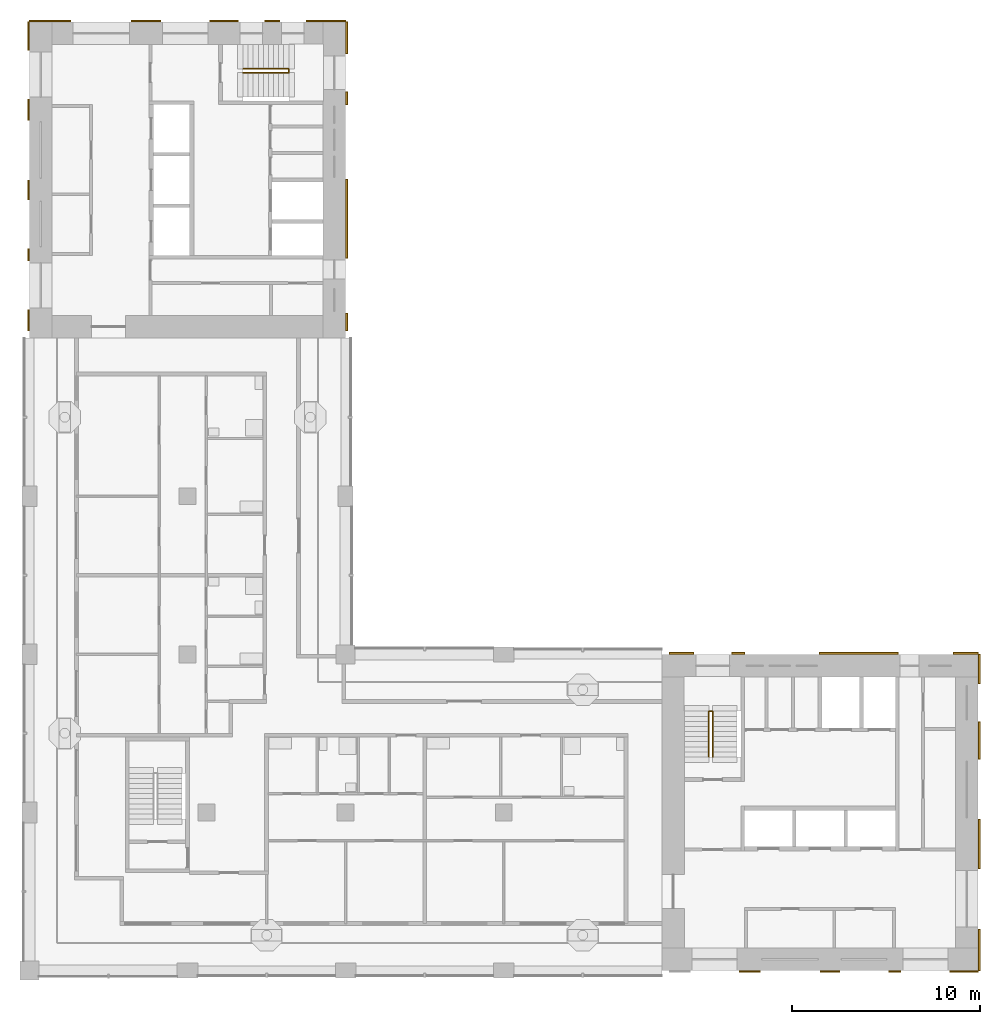
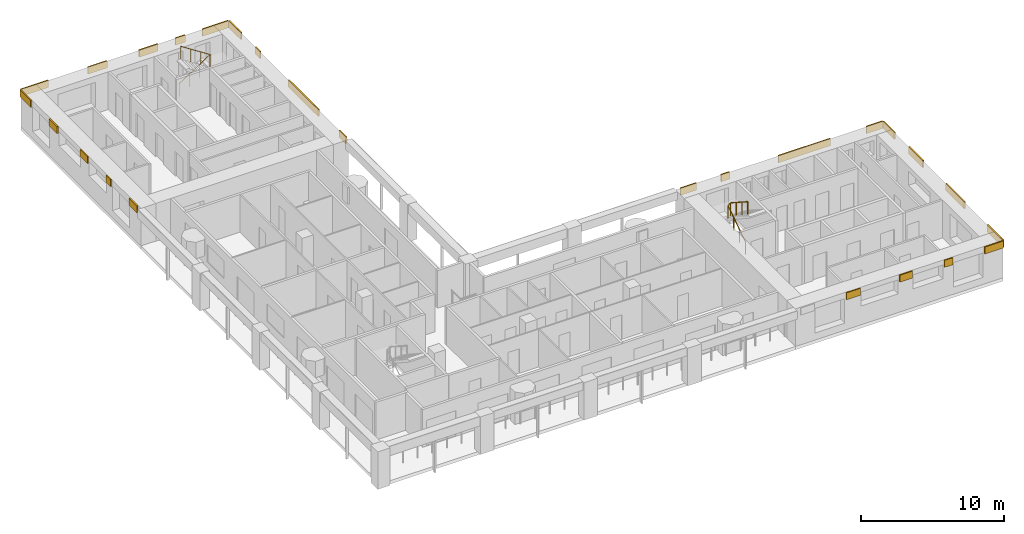
# One storey, part 9 of 12: 26 shading devices, 2 railings.
"""IFC4 building model written with IfcOpenShell, lengths in metres."""

from ifc_helpers import new_model, si_unit, direction, frame, origin, origin_2d, place, context, subcontext, project, spatial, rectangle, circle, extrude, material, layer, layer_set, type_object, element, save


model = new_model("IFC4")

# Units and contexts
model_context = context("Model", 3, precision=1e-05, world=origin(), true_north=direction((0.0, 1.0)))
body_context = subcontext(model_context, "Body", "Model", "MODEL_VIEW")
ifc_project = project(units=[si_unit("LENGTHUNIT", "METRE"), si_unit("AREAUNIT", "SQUARE_METRE"), si_unit("VOLUMEUNIT", "CUBIC_METRE"), si_unit("PLANEANGLEUNIT", "RADIAN"), si_unit("MASSUNIT", "GRAM", prefix="KILO")], contexts=[model_context])

# Site, building, storey
site_placement = place(None, origin())
site = spatial("IfcSite", under=ifc_project, at=site_placement, CompositionType="ELEMENT")
building_placement = place(site_placement, origin())
building = spatial("IfcBuilding", under=site, at=building_placement, Name="Vermilion Gate Residences", CompositionType="ELEMENT")
storey_placement = place(building_placement, frame((0.0, 0.0, 214.199951171875)))
storey = spatial("IfcBuildingStorey", under=building, at=storey_placement, Name="L55", CompositionType="ELEMENT", Elevation=214.199951171875)

# Railings
ifc_material_1 = material(Name="Steel S355", Category="steel")
railing_type = type_object("IfcRailingType", Name="STAIR GUARD 1100 STEEL", PredefinedType="GUARDRAIL", material=ifc_material_1)
railing_1_placement = place(storey_placement, frame((44.5, 19.75, 0.175048828125)))
element("IfcRailing", 1, at=railing_1_placement, inside=storey, type_object=railing_type, Name="Stair well guard STA1-55", PredefinedType="GUARDRAIL", context=body_context, shape_type="SweptSolid", body=[
    extrude(circle(Radius=0.02392578125, at=origin_2d()), frame((0.0, 0.0, 1.076171875), z_axis=(0.0, 0.839153699163, 0.543894354798), x_axis=(-1.0, 0.0, 0.0)), (0.0, 0.0, 1.0), 2.895751953125),
    extrude(circle(Radius=0.02392578125, at=origin_2d()), frame((0.0, 2.429931640625, 2.65087890625), z_axis=(0.752405939678, 0.0, 0.658699705433), x_axis=(0.0, 1.0, 0.0)), (0.0, 0.0, 1.0), 0.265869140625),
    extrude(circle(Radius=0.02392578125, at=origin_2d()), frame((0.199951171875, 2.429931640625, 2.826171875), z_axis=(0.0, -0.839153699163, 0.543894354798), x_axis=(1.0, 0.0, 0.0)), (0.0, 0.0, 1.0), 2.895751953125),
    extrude(circle(Radius=0.02099609375, at=origin_2d()), origin(), (0.0, 0.0, 1.0), 1.052001953125),
    extrude(circle(Radius=0.02099609375, at=origin_2d()), frame((0.0, 0.81005859375, 0.52490234375)), (0.0, 0.0, 1.0), 1.052001953125),
    extrude(circle(Radius=0.02099609375, at=origin_2d()), frame((0.0, 1.619873046875, 1.050048828125)), (0.0, 0.0, 1.0), 1.052001953125),
    extrude(circle(Radius=0.02099609375, at=origin_2d()), frame((0.0, 2.429931640625, 1.574951171875)), (0.0, 0.0, 1.0), 1.052001953125),
    extrude(circle(Radius=0.02099609375, at=origin_2d()), frame((0.199951171875, 2.429931640625, 1.75)), (0.0, 0.0, 1.0), 1.052001953125),
    extrude(circle(Radius=0.02099609375, at=origin_2d()), frame((0.199951171875, 1.619873046875, 2.27490234375)), (0.0, 0.0, 1.0), 1.052001953125),
    extrude(circle(Radius=0.02099609375, at=origin_2d()), frame((0.199951171875, 0.81005859375, 2.800048828125)), (0.0, 0.0, 1.0), 1.052001953125),
    extrude(circle(Radius=0.02099609375, at=origin_2d()), frame((0.199951171875, 0.0, 3.324951171875)), (0.0, 0.0, 1.0), 1.052001953125),
])
railing_2_placement = place(storey_placement, frame((19.75, 56.300048828125, 0.175048828125)))
element("IfcRailing", 2, at=railing_2_placement, inside=storey, type_object=railing_type, Name="Stair well guard STB1-55", PredefinedType="GUARDRAIL", context=body_context, shape_type="SweptSolid", body=[
    extrude(circle(Radius=0.02392578125, at=origin_2d()), frame((0.0, 0.0, 1.076171875), z_axis=(0.839153699163, 0.0, 0.543894354798), x_axis=(0.0, 1.0, 0.0)), (0.0, 0.0, 1.0), 2.895751953125),
    extrude(circle(Radius=0.02392578125, at=origin_2d()), frame((2.429931640625, 0.0, 2.65087890625), z_axis=(0.0, -0.752405939678, 0.658699705433), x_axis=(1.0, 0.0, 0.0)), (0.0, 0.0, 1.0), 0.265869140625),
    extrude(circle(Radius=0.02392578125, at=origin_2d()), frame((2.429931640625, -0.199951171875, 2.826171875), z_axis=(-0.839153699163, 0.0, 0.543894354798), x_axis=(0.0, -1.0, 0.0)), (0.0, 0.0, 1.0), 2.895751953125),
    extrude(circle(Radius=0.02099609375, at=origin_2d()), origin(), (0.0, 0.0, 1.0), 1.052001953125),
    extrude(circle(Radius=0.02099609375, at=origin_2d()), frame((0.81005859375, 0.0, 0.52490234375)), (0.0, 0.0, 1.0), 1.052001953125),
    extrude(circle(Radius=0.02099609375, at=origin_2d()), frame((1.619873046875, 0.0, 1.050048828125)), (0.0, 0.0, 1.0), 1.052001953125),
    extrude(circle(Radius=0.02099609375, at=origin_2d()), frame((2.429931640625, 0.0, 1.574951171875)), (0.0, 0.0, 1.0), 1.052001953125),
    extrude(circle(Radius=0.02099609375, at=origin_2d()), frame((2.429931640625, -0.199951171875, 1.75)), (0.0, 0.0, 1.0), 1.052001953125),
    extrude(circle(Radius=0.02099609375, at=origin_2d()), frame((1.619873046875, -0.199951171875, 2.27490234375)), (0.0, 0.0, 1.0), 1.052001953125),
    extrude(circle(Radius=0.02099609375, at=origin_2d()), frame((0.81005859375, -0.199951171875, 2.800048828125)), (0.0, 0.0, 1.0), 1.052001953125),
    extrude(circle(Radius=0.02099609375, at=origin_2d()), frame((0.0, -0.199951171875, 3.324951171875)), (0.0, 0.0, 1.0), 1.052001953125),
])

# Shading devices
ifc_material_2 = material(Name="Extruded terracotta", Category="masonry")
ifc_layer = layer(ifc_material_2, 0.10009765625)
ifc_layer_set = layer_set([ifc_layer], Name="TERRACOTTA SPANDREL BAND 600 X 100")
shading_device_type = type_object("IfcShadingDeviceType", Name="TERRACOTTA SPANDREL BAND 600 X 100", PredefinedType="USERDEFINED", material=ifc_layer_set)
shading_device_1_placement = place(storey_placement, frame((46.657470703125, 8.35009765625, 2.6201171875), z_axis=(0.0, 0.0, 1.0), x_axis=(1.0, 0.0, 0.0)))
element("IfcShadingDevice", 3, at=shading_device_1_placement, inside=storey, type_object=shading_device_type, Name="SPANDREL BAND", ObjectType="BAND", PredefinedType="USERDEFINED", context=body_context, shape_type="SweptSolid", body=[
    extrude(rectangle(XDim=1.114990234375, YDim=0.10009765625, at=origin_2d()), origin(), (0.0, 0.0, 1.0), 0.60009765625),
])
shading_device_2_placement = place(storey_placement, frame((50.927490234375, 8.35009765625, 2.6201171875), z_axis=(0.0, 0.0, 1.0), x_axis=(1.0, 0.0, 0.0)))
element("IfcShadingDevice", 4, at=shading_device_2_placement, inside=storey, type_object=shading_device_type, Name="SPANDREL BAND", ObjectType="BAND", PredefinedType="USERDEFINED", context=body_context, shape_type="SweptSolid", body=[
    extrude(rectangle(XDim=1.02490234375, YDim=0.10009765625, at=origin_2d()), origin(), (0.0, 0.0, 1.0), 0.60009765625),
])
shading_device_3_placement = place(storey_placement, frame((54.3701171875, 8.35009765625, 2.6201171875), z_axis=(0.0, 0.0, 1.0), x_axis=(1.0, 0.0, 0.0)))
element("IfcShadingDevice", 5, at=shading_device_3_placement, inside=storey, type_object=shading_device_type, Name="SPANDREL BAND", ObjectType="BAND", PredefinedType="USERDEFINED", context=body_context, shape_type="SweptSolid", body=[
    extrude(rectangle(XDim=0.659912109375, YDim=0.10009765625, at=origin_2d()), origin(), (0.0, 0.0, 1.0), 0.60009765625),
])
shading_device_4_placement = place(storey_placement, frame((58.050048828125, 8.35009765625, 2.6201171875), z_axis=(0.0, 0.0, 1.0), x_axis=(1.0, 0.0, 0.0)))
element("IfcShadingDevice", 6, at=shading_device_4_placement, inside=storey, type_object=shading_device_type, Name="SPANDREL BAND", ObjectType="BAND", PredefinedType="USERDEFINED", context=body_context, shape_type="SweptSolid", body=[
    extrude(rectangle(XDim=1.5, YDim=0.10009765625, at=origin_2d()), origin(), (0.0, 0.0, 1.0), 0.60009765625),
])
shading_device_5_placement = place(storey_placement, frame((43.050048828125, 25.25, 2.6201171875), z_axis=(0.0, 0.0, 1.0), x_axis=(1.0, 0.0, 0.0)))
element("IfcShadingDevice", 7, at=shading_device_5_placement, inside=storey, type_object=shading_device_type, Name="SPANDREL BAND", ObjectType="BAND", PredefinedType="USERDEFINED", context=body_context, shape_type="SweptSolid", body=[
    extrude(rectangle(XDim=1.300048828125, YDim=0.10009765625, at=origin_2d()), origin(), (0.0, 0.0, 1.0), 0.60009765625),
])
shading_device_6_placement = place(storey_placement, frame((46.044921875, 25.25, 2.6201171875), z_axis=(0.0, 0.0, 1.0), x_axis=(1.0, 0.0, 0.0)))
element("IfcShadingDevice", 8, at=shading_device_6_placement, inside=storey, type_object=shading_device_type, Name="SPANDREL BAND", ObjectType="BAND", PredefinedType="USERDEFINED", context=body_context, shape_type="SweptSolid", body=[
    extrude(rectangle(XDim=0.68994140625, YDim=0.10009765625, at=origin_2d()), origin(), (0.0, 0.0, 1.0), 0.60009765625),
])
shading_device_7_placement = place(storey_placement, frame((52.449951171875, 25.25, 2.6201171875), z_axis=(0.0, 0.0, 1.0), x_axis=(1.0, 0.0, 0.0)))
element("IfcShadingDevice", 9, at=shading_device_7_placement, inside=storey, type_object=shading_device_type, Name="SPANDREL BAND", ObjectType="BAND", PredefinedType="USERDEFINED", context=body_context, shape_type="SweptSolid", body=[
    extrude(rectangle(XDim=4.199951171875, YDim=0.10009765625, at=origin_2d()), origin(), (0.0, 0.0, 1.0), 0.60009765625),
])
shading_device_8_placement = place(storey_placement, frame((58.137451171875, 25.25, 2.6201171875), z_axis=(0.0, 0.0, 1.0), x_axis=(1.0, 0.0, 0.0)))
element("IfcShadingDevice", 10, at=shading_device_8_placement, inside=storey, type_object=shading_device_type, Name="SPANDREL BAND", ObjectType="BAND", PredefinedType="USERDEFINED", context=body_context, shape_type="SweptSolid", body=[
    extrude(rectangle(XDim=1.324951171875, YDim=0.10009765625, at=origin_2d()), origin(), (0.0, 0.0, 1.0), 0.60009765625),
])
shading_device_9_placement = place(storey_placement, frame((58.85009765625, 9.50244140625, 2.6201171875), z_axis=(0.0, 0.0, 1.0), x_axis=(0.0, 1.0, 0.0)))
element("IfcShadingDevice", 11, at=shading_device_9_placement, inside=storey, type_object=shading_device_type, Name="SPANDREL BAND", ObjectType="BAND", PredefinedType="USERDEFINED", context=body_context, shape_type="SweptSolid", body=[
    extrude(rectangle(XDim=2.205078125, YDim=0.10009765625, at=origin_2d()), origin(), (0.0, 0.0, 1.0), 0.60009765625),
])
shading_device_10_placement = place(storey_placement, frame((58.85009765625, 15.118896484375, 2.6201171875), z_axis=(0.0, 0.0, 1.0), x_axis=(0.0, 1.0, 0.0)))
element("IfcShadingDevice", 12, at=shading_device_10_placement, inside=storey, type_object=shading_device_type, Name="SPANDREL BAND", ObjectType="BAND", PredefinedType="USERDEFINED", context=body_context, shape_type="SweptSolid", body=[
    extrude(rectangle(XDim=2.62744140625, YDim=0.10009765625, at=origin_2d()), origin(), (0.0, 0.0, 1.0), 0.60009765625),
])
shading_device_11_placement = place(storey_placement, frame((58.85009765625, 20.6298828125, 2.6201171875), z_axis=(0.0, 0.0, 1.0), x_axis=(0.0, 1.0, 0.0)))
element("IfcShadingDevice", 13, at=shading_device_11_placement, inside=storey, type_object=shading_device_type, Name="SPANDREL BAND", ObjectType="BAND", PredefinedType="USERDEFINED", context=body_context, shape_type="SweptSolid", body=[
    extrude(rectangle(XDim=1.9951171875, YDim=0.10009765625, at=origin_2d()), origin(), (0.0, 0.0, 1.0), 0.60009765625),
])
shading_device_12_placement = place(storey_placement, frame((58.85009765625, 24.413818359375, 2.6201171875), z_axis=(0.0, 0.0, 1.0), x_axis=(0.0, 1.0, 0.0)))
element("IfcShadingDevice", 14, at=shading_device_12_placement, inside=storey, type_object=shading_device_type, Name="SPANDREL BAND", ObjectType="BAND", PredefinedType="USERDEFINED", context=body_context, shape_type="SweptSolid", body=[
    extrude(rectangle(XDim=1.572509765625, YDim=0.10009765625, at=origin_2d()), origin(), (0.0, 0.0, 1.0), 0.60009765625),
])
shading_device_13_placement = place(storey_placement, frame((9.50244140625, 58.85009765625, 2.6201171875), z_axis=(0.0, 0.0, 1.0), x_axis=(1.0, 0.0, 0.0)))
element("IfcShadingDevice", 15, at=shading_device_13_placement, inside=storey, type_object=shading_device_type, Name="SPANDREL BAND", ObjectType="BAND", PredefinedType="USERDEFINED", context=body_context, shape_type="SweptSolid", body=[
    extrude(rectangle(XDim=2.205078125, YDim=0.10009765625, at=origin_2d()), origin(), (0.0, 0.0, 1.0), 0.60009765625),
])
shading_device_14_placement = place(storey_placement, frame((14.590087890625, 58.85009765625, 2.6201171875), z_axis=(0.0, 0.0, 1.0), x_axis=(1.0, 0.0, 0.0)))
element("IfcShadingDevice", 16, at=shading_device_14_placement, inside=storey, type_object=shading_device_type, Name="SPANDREL BAND", ObjectType="BAND", PredefinedType="USERDEFINED", context=body_context, shape_type="SweptSolid", body=[
    extrude(rectangle(XDim=1.570068359375, YDim=0.10009765625, at=origin_2d()), origin(), (0.0, 0.0, 1.0), 0.60009765625),
])
shading_device_15_placement = place(storey_placement, frame((18.734130859375, 58.85009765625, 2.6201171875), z_axis=(0.0, 0.0, 1.0), x_axis=(1.0, 0.0, 0.0)))
element("IfcShadingDevice", 17, at=shading_device_15_placement, inside=storey, type_object=shading_device_type, Name="SPANDREL BAND", ObjectType="BAND", PredefinedType="USERDEFINED", context=body_context, shape_type="SweptSolid", body=[
    extrude(rectangle(XDim=1.518310546875, YDim=0.10009765625, at=origin_2d()), origin(), (0.0, 0.0, 1.0), 0.60009765625),
])
shading_device_16_placement = place(storey_placement, frame((21.294921875, 58.85009765625, 2.6201171875), z_axis=(0.0, 0.0, 1.0), x_axis=(1.0, 0.0, 0.0)))
element("IfcShadingDevice", 18, at=shading_device_16_placement, inside=storey, type_object=shading_device_type, Name="SPANDREL BAND", ObjectType="BAND", PredefinedType="USERDEFINED", context=body_context, shape_type="SweptSolid", body=[
    extrude(rectangle(XDim=0.803466796875, YDim=0.10009765625, at=origin_2d()), origin(), (0.0, 0.0, 1.0), 0.60009765625),
])
shading_device_17_placement = place(storey_placement, frame((24.1484375, 58.85009765625, 2.6201171875), z_axis=(0.0, 0.0, 1.0), x_axis=(1.0, 0.0, 0.0)))
element("IfcShadingDevice", 19, at=shading_device_17_placement, inside=storey, type_object=shading_device_type, Name="SPANDREL BAND", ObjectType="BAND", PredefinedType="USERDEFINED", context=body_context, shape_type="SweptSolid", body=[
    extrude(rectangle(XDim=2.103271484375, YDim=0.10009765625, at=origin_2d()), origin(), (0.0, 0.0, 1.0), 0.60009765625),
])
shading_device_18_placement = place(storey_placement, frame((8.35009765625, 42.949951171875, 2.6201171875), z_axis=(0.0, 0.0, 1.0), x_axis=(0.0, 1.0, 0.0)))
element("IfcShadingDevice", 20, at=shading_device_18_placement, inside=storey, type_object=shading_device_type, Name="SPANDREL BAND", ObjectType="BAND", PredefinedType="USERDEFINED", context=body_context, shape_type="SweptSolid", body=[
    extrude(rectangle(XDim=1.10009765625, YDim=0.10009765625, at=origin_2d()), origin(), (0.0, 0.0, 1.0), 0.60009765625),
])
shading_device_19_placement = place(storey_placement, frame((8.35009765625, 46.429931640625, 2.6201171875), z_axis=(0.0, 0.0, 1.0), x_axis=(0.0, 1.0, 0.0)))
element("IfcShadingDevice", 21, at=shading_device_19_placement, inside=storey, type_object=shading_device_type, Name="SPANDREL BAND", ObjectType="BAND", PredefinedType="USERDEFINED", context=body_context, shape_type="SweptSolid", body=[
    extrude(rectangle(XDim=0.659912109375, YDim=0.10009765625, at=origin_2d()), origin(), (0.0, 0.0, 1.0), 0.60009765625),
])
shading_device_20_placement = place(storey_placement, frame((8.35009765625, 49.87255859375, 2.6201171875), z_axis=(0.0, 0.0, 1.0), x_axis=(0.0, 1.0, 0.0)))
element("IfcShadingDevice", 22, at=shading_device_20_placement, inside=storey, type_object=shading_device_type, Name="SPANDREL BAND", ObjectType="BAND", PredefinedType="USERDEFINED", context=body_context, shape_type="SweptSolid", body=[
    extrude(rectangle(XDim=1.02490234375, YDim=0.10009765625, at=origin_2d()), origin(), (0.0, 0.0, 1.0), 0.60009765625),
])
shading_device_21_placement = place(storey_placement, frame((8.35009765625, 54.142578125, 2.6201171875), z_axis=(0.0, 0.0, 1.0), x_axis=(0.0, 1.0, 0.0)))
element("IfcShadingDevice", 23, at=shading_device_21_placement, inside=storey, type_object=shading_device_type, Name="SPANDREL BAND", ObjectType="BAND", PredefinedType="USERDEFINED", context=body_context, shape_type="SweptSolid", body=[
    extrude(rectangle(XDim=1.114990234375, YDim=0.10009765625, at=origin_2d()), origin(), (0.0, 0.0, 1.0), 0.60009765625),
])
shading_device_22_placement = place(storey_placement, frame((8.35009765625, 58.050048828125, 2.6201171875), z_axis=(0.0, 0.0, 1.0), x_axis=(0.0, 1.0, 0.0)))
element("IfcShadingDevice", 24, at=shading_device_22_placement, inside=storey, type_object=shading_device_type, Name="SPANDREL BAND", ObjectType="BAND", PredefinedType="USERDEFINED", context=body_context, shape_type="SweptSolid", body=[
    extrude(rectangle(XDim=1.5, YDim=0.10009765625, at=origin_2d()), origin(), (0.0, 0.0, 1.0), 0.60009765625),
])
shading_device_23_placement = place(storey_placement, frame((25.25, 42.862548828125, 2.6201171875), z_axis=(0.0, 0.0, 1.0), x_axis=(0.0, 1.0, 0.0)))
element("IfcShadingDevice", 25, at=shading_device_23_placement, inside=storey, type_object=shading_device_type, Name="SPANDREL BAND", ObjectType="BAND", PredefinedType="USERDEFINED", context=body_context, shape_type="SweptSolid", body=[
    extrude(rectangle(XDim=0.925048828125, YDim=0.10009765625, at=origin_2d()), origin(), (0.0, 0.0, 1.0), 0.60009765625),
])
shading_device_24_placement = place(storey_placement, frame((25.25, 48.35009765625, 2.6201171875), z_axis=(0.0, 0.0, 1.0), x_axis=(0.0, 1.0, 0.0)))
element("IfcShadingDevice", 26, at=shading_device_24_placement, inside=storey, type_object=shading_device_type, Name="SPANDREL BAND", ObjectType="BAND", PredefinedType="USERDEFINED", context=body_context, shape_type="SweptSolid", body=[
    extrude(rectangle(XDim=4.199951171875, YDim=0.10009765625, at=origin_2d()), origin(), (0.0, 0.0, 1.0), 0.60009765625),
])
shading_device_25_placement = place(storey_placement, frame((25.25, 54.7548828125, 2.6201171875), z_axis=(0.0, 0.0, 1.0), x_axis=(0.0, 1.0, 0.0)))
element("IfcShadingDevice", 27, at=shading_device_25_placement, inside=storey, type_object=shading_device_type, Name="SPANDREL BAND", ObjectType="BAND", PredefinedType="USERDEFINED", context=body_context, shape_type="SweptSolid", body=[
    extrude(rectangle(XDim=0.68994140625, YDim=0.10009765625, at=origin_2d()), origin(), (0.0, 0.0, 1.0), 0.60009765625),
])
shading_device_26_placement = place(storey_placement, frame((25.25, 57.949951171875, 2.6201171875), z_axis=(0.0, 0.0, 1.0), x_axis=(0.0, 1.0, 0.0)))
element("IfcShadingDevice", 28, at=shading_device_26_placement, inside=storey, type_object=shading_device_type, Name="SPANDREL BAND", ObjectType="BAND", PredefinedType="USERDEFINED", context=body_context, shape_type="SweptSolid", body=[
    extrude(rectangle(XDim=1.699951171875, YDim=0.10009765625, at=origin_2d()), origin(), (0.0, 0.0, 1.0), 0.60009765625),
])

save(model, "model.ifc")
